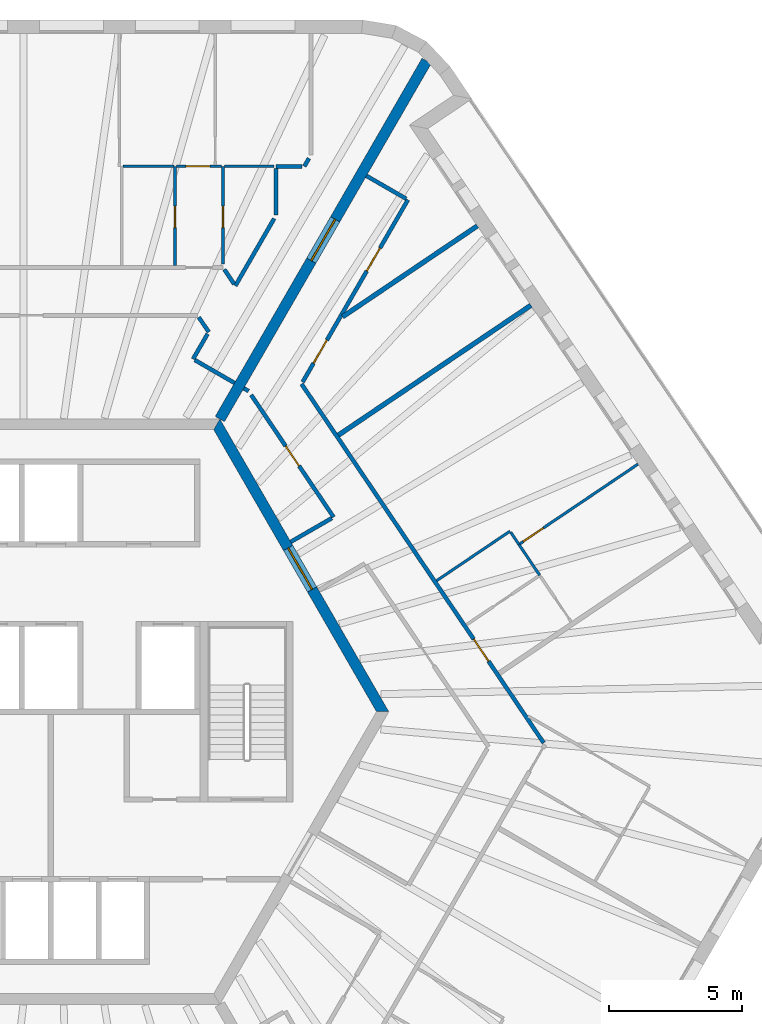
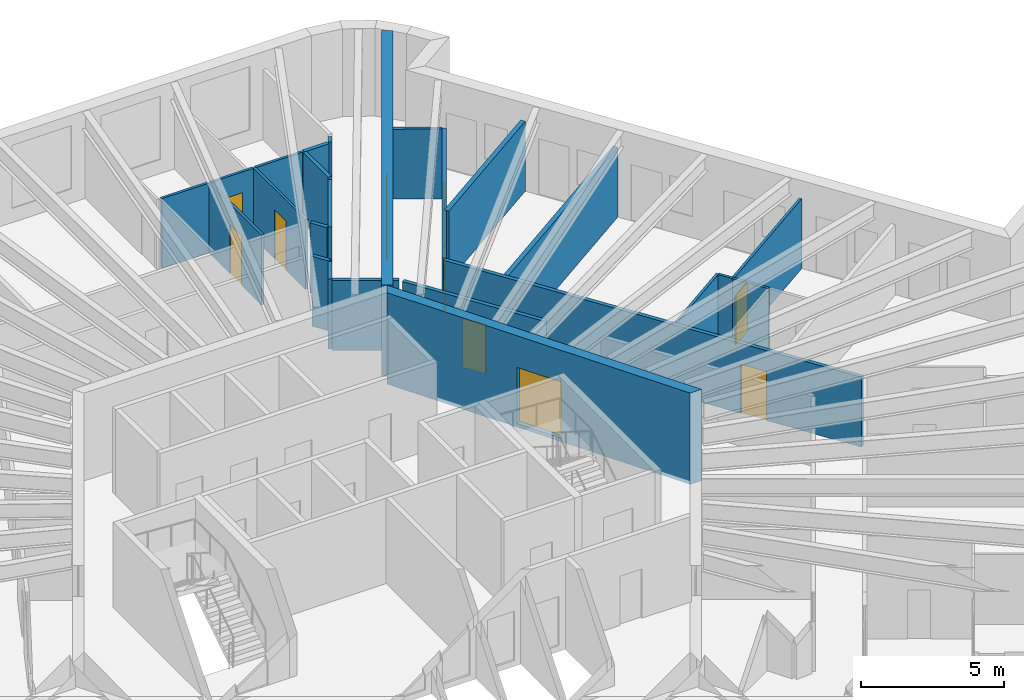
# One storey, part 10 of 12: 27 walls, 10 doors, 10 openings.
"""IFC4 building model written with IfcOpenShell, lengths in metres."""

from ifc_helpers import new_model, si_unit, direction, frame, frame_2d, origin, place, context, subcontext, project, spatial, polyline, rectangle, outline, extrude, material, layer, layer_set, type_object, element, fill, save


model = new_model("IFC4")

# Units and contexts
model_context = context("Model", 3, precision=1e-05, world=origin(), true_north=direction((0.0, 1.0)))
body_context = subcontext(model_context, "Body", "Model", "MODEL_VIEW")
ifc_project = project(units=[si_unit("LENGTHUNIT", "METRE"), si_unit("AREAUNIT", "SQUARE_METRE"), si_unit("VOLUMEUNIT", "CUBIC_METRE"), si_unit("PLANEANGLEUNIT", "RADIAN"), si_unit("MASSUNIT", "GRAM", prefix="KILO")], contexts=[model_context])

# Site, building, storey
site_placement = place(None, origin())
site = spatial("IfcSite", under=ifc_project, at=site_placement, CompositionType="ELEMENT")
building_placement = place(site_placement, origin())
building = spatial("IfcBuilding", under=site, at=building_placement, Name="Tarnside Tower", CompositionType="ELEMENT")
storey_placement = place(building_placement, frame((0.0, 0.0, 322.5)))
storey = spatial("IfcBuildingStorey", under=building, at=storey_placement, Name="L78", CompositionType="ELEMENT", Elevation=322.5)

# Wall, opening, door
ifc_material_1 = material(Name="Gypsum board partition on steel studs", Category="steel")
ifc_layer_1 = layer(ifc_material_1, 0.10009765625)
ifc_layer_set_1 = layer_set([ifc_layer_1], Name="Bathroom wall 100")
wall_type_1 = type_object("IfcWallType", Name="Bathroom wall 100", PredefinedType="PARTITIONING", material=ifc_layer_set_1)
wall_1_placement = place(storey_placement, frame((4.6669921875, 20.5, 0.0), z_axis=(0.0, 0.0, 1.0), x_axis=(0.0, -1.0, 0.0)))
wall_1 = element("IfcWall", 1, at=wall_1_placement, inside=storey, type_object=wall_type_1, Name="Bathroom wall 25089", PredefinedType="PARTITIONING", context=body_context, shape_type="SweptSolid", body=[
    extrude(rectangle(XDim=3.72509765625, YDim=0.10009765625, at=frame_2d((1.862548828125, 0.0))), origin(), (0.0, 0.0, 1.0), 2.98779296875),
])
opening_1_placement = place(wall_1_placement, frame((1.5, 0.0, 0.0)))
opening_1 = element("IfcOpeningElement", 2, at=opening_1_placement, cuts=wall_1, Name="Opening D-B1", PredefinedType="OPENING", context=body_context, shape_type="SweptSolid", body=[
    extrude(rectangle(XDim=0.800048828125, YDim=2.10009765625, at=frame_2d((0.39990234375, 1.050048828125))), frame((0.0, 0.06005859375, 0.0), z_axis=(0.0, -1.0, 0.0), x_axis=(1.0, 0.0, 0.0)), (0.0, 0.0, 1.0), 0.1201171875),
])
ifc_material_2 = material(Name="Timber door leaf", Category="wood")
door_type_1 = type_object("IfcDoorType", Name="Bathroom door 800", OperationType="NOTDEFINED", PredefinedType="DOOR", material=ifc_material_2)
door_1_placement = place(opening_1_placement, origin())
door_1 = element("IfcDoor", 3, at=door_1_placement, inside=storey, type_object=door_type_1, Name="Bathroom door 25002", OperationType="SINGLE_SWING_LEFT", OverallHeight=2.10009765625, OverallWidth=0.800048828125, PredefinedType="DOOR", context=body_context, shape_type="SweptSolid", body=[
    extrude(rectangle(XDim=0.800048828125, YDim=2.10009765625, at=frame_2d((0.39990234375, 1.050048828125))), frame((0.0, 0.02490234375, 0.0), z_axis=(0.0, -1.0, 0.0), x_axis=(1.0, 0.0, 0.0)), (0.0, 0.0, 1.0), 0.050048828125),
])
fill(opening_1, door_1)

wall_2_placement = place(storey_placement, frame((6.467041015625, 16.834228515625, 0.0), z_axis=(0.0, 0.0, 1.0), x_axis=(0.0, 1.0, 0.0)))
wall_2 = element("IfcWall", 4, at=wall_2_placement, inside=storey, type_object=wall_type_1, Name="Bathroom wall 25092", PredefinedType="PARTITIONING", context=body_context, shape_type="SweptSolid", body=[
    extrude(rectangle(XDim=3.665771484375, YDim=0.10009765625, at=frame_2d((1.8330078125, 0.0))), origin(), (0.0, 0.0, 1.0), 2.98779296875),
])
opening_2_placement = place(wall_2_placement, frame((1.365966796875, 0.0, 0.0)))
opening_2 = element("IfcOpeningElement", 5, at=opening_2_placement, cuts=wall_2, Name="Opening D-B1", PredefinedType="OPENING", context=body_context, shape_type="SweptSolid", body=[
    extrude(rectangle(XDim=0.800048828125, YDim=2.10009765625, at=frame_2d((0.39990234375, 1.050048828125))), frame((0.0, 0.06005859375, 0.0), z_axis=(0.0, -1.0, 0.0), x_axis=(1.0, 0.0, 0.0)), (0.0, 0.0, 1.0), 0.1201171875),
])
door_2_placement = place(opening_2_placement, origin())
door_2 = element("IfcDoor", 6, at=door_2_placement, inside=storey, type_object=door_type_1, Name="Bathroom door 25011", OperationType="SINGLE_SWING_RIGHT", OverallHeight=2.10009765625, OverallWidth=0.800048828125, PredefinedType="DOOR", context=body_context, shape_type="SweptSolid", body=[
    extrude(rectangle(XDim=0.800048828125, YDim=2.10009765625, at=frame_2d((0.39990234375, 1.050048828125))), frame((0.0, 0.02490234375, 0.0), z_axis=(0.0, -1.0, 0.0), x_axis=(1.0, 0.0, 0.0)), (0.0, 0.0, 1.0), 0.050048828125),
])
fill(opening_2, door_2)

# Walls
wall_3_placement = place(storey_placement, frame((4.619140625, 20.5, 0.0), z_axis=(0.0, 0.0, 1.0), x_axis=(-1.0, 0.0, 0.0)))
element("IfcWall", 7, at=wall_3_placement, inside=storey, type_object=wall_type_1, Name="Bathroom wall 25093", PredefinedType="PARTITIONING", context=body_context, shape_type="SweptSolid", body=[
    extrude(rectangle(XDim=1.904052734375, YDim=0.10009765625, at=frame_2d((0.9521484375, 0.0))), origin(), (0.0, 0.0, 1.0), 2.98779296875),
])
wall_4_placement = place(storey_placement, frame((6.51708984375, 20.5, 0.0), z_axis=(0.0, 0.0, 1.0), x_axis=(1.0, 0.0, 0.0)))
element("IfcWall", 8, at=wall_4_placement, inside=storey, type_object=wall_type_1, Name="Bathroom wall 25095", PredefinedType="PARTITIONING", context=body_context, shape_type="SweptSolid", body=[
    extrude(rectangle(XDim=1.875, YDim=0.10009765625, at=frame_2d((0.9375, 0.0))), origin(), (0.0, 0.0, 1.0), 2.98779296875),
])
wall_5_placement = place(storey_placement, frame((14.49951171875, 4.925537109375, 0.0), z_axis=(0.0, 0.0, 1.0), x_axis=(0.829067379225, 0.559148710725, 0.0)))
element("IfcWall", 9, at=wall_5_placement, inside=storey, type_object=wall_type_1, Name="Bathroom wall 25166", PredefinedType="PARTITIONING", context=body_context, shape_type="SweptSolid", body=[
    extrude(rectangle(XDim=3.324951171875, YDim=0.10009765625, at=frame_2d((1.66259765625, 0.0))), origin(), (0.0, 0.0, 1.0), 2.98779296875),
])
wall_6_placement = place(storey_placement, frame((17.2841796875, 6.743408203125, 0.0), z_axis=(0.0, 0.0, 1.0), x_axis=(0.55897906803, -0.829181766263, 0.0)))
element("IfcWall", 10, at=wall_6_placement, inside=storey, type_object=wall_type_1, Name="Bathroom wall 25167", PredefinedType="PARTITIONING", context=body_context, shape_type="SweptSolid", body=[
    extrude(rectangle(XDim=0.552001953125, YDim=0.10009765625, at=frame_2d((0.27587890625, 0.0))), origin(), (0.0, 0.0, 1.0), 2.98779296875),
])
wall_7_placement = place(storey_placement, frame((18.375732421875, 5.125, 0.0), z_axis=(0.0, 0.0, 1.0), x_axis=(-0.559152802616, 0.829064619512, 0.0)))
element("IfcWall", 11, at=wall_7_placement, inside=storey, type_object=wall_type_1, Name="Bathroom wall 25172", PredefinedType="PARTITIONING", context=body_context, shape_type="SweptSolid", body=[
    extrude(rectangle(XDim=1.402099609375, YDim=0.10009765625, at=frame_2d((0.701171875, 0.0))), origin(), (0.0, 0.0, 1.0), 2.98779296875),
])

# Wall, opening, door
ifc_material_3 = material(Name="Concrete C60/75", Category="concrete")
ifc_layer_2 = layer(ifc_material_3, 0.39990234375)
ifc_layer_set_2 = layer_set([ifc_layer_2], Name="Core wall Z3 400 C60/75")
wall_type_2 = type_object("IfcWallType", Name="Core wall Z3 400 C60/75", PredefinedType="SHEAR", material=ifc_layer_set_2)
wall_8_placement = place(storey_placement, frame((12.470703125, 0.0, -0.14990234375), z_axis=(0.0, 0.0, 1.0), x_axis=(-0.499996419489, 0.866027470984, 0.0)))
wall_8 = element("IfcWall", 12, at=wall_8_placement, inside=storey, type_object=wall_type_2, Name="L78 core wall face 6", PredefinedType="SHEAR", context=body_context, shape_type="SweptSolid", body=[
    extrude(outline(polyline([(-0.115478515625, -0.199951171875), (12.586181640625, -0.199951171875), (12.355224609375, 0.199951171875), (0.115478515625, 0.199951171875), (-0.115478515625, -0.199951171875)])), origin(), (0.0, 0.0, 1.0), 3.89990234375),
])
opening_3_placement = place(wall_8_placement, frame((5.306396484375, 0.0, 0.14990234375)))
opening_3 = element("IfcOpeningElement", 13, at=opening_3_placement, cuts=wall_8, Name="Opening CD-LOB", PredefinedType="OPENING", context=body_context, shape_type="SweptSolid", body=[
    extrude(rectangle(XDim=1.800048828125, YDim=2.39990234375, at=frame_2d((0.89990234375, 1.199951171875))), frame((0.0, 0.2099609375, 0.0), z_axis=(0.0, -1.0, 0.0), x_axis=(1.0, 0.0, 0.0)), (0.0, 0.0, 1.0), 0.419921875),
])
ifc_material_4 = material(Name="Steel fire door", Category="steel")
door_type_2 = type_object("IfcDoorType", Name="Lobby double door FD30S 1800x2400", OperationType="NOTDEFINED", PredefinedType="DOOR", material=ifc_material_4)
door_3_placement = place(opening_3_placement, origin())
door_3 = element("IfcDoor", 14, at=door_3_placement, inside=storey, type_object=door_type_2, Name="L78 core door P2", OperationType="DOUBLE_DOOR_SINGLE_SWING", OverallHeight=2.39990234375, OverallWidth=1.800048828125, PredefinedType="DOOR", context=body_context, shape_type="SweptSolid", body=[
    extrude(rectangle(XDim=1.800048828125, YDim=2.39990234375, at=frame_2d((0.89990234375, 1.199951171875))), frame((0.0, 0.02490234375, 0.0), z_axis=(0.0, -1.0, 0.0), x_axis=(1.0, 0.0, 0.0)), (0.0, 0.0, 1.0), 0.050048828125),
])
fill(opening_3, door_3)

wall_9_placement = place(storey_placement, frame((6.350830078125, 11.0, -0.14990234375), z_axis=(0.0, 0.0, 1.0), x_axis=(0.499998894578, 0.866026041999, 0.0)))
wall_9 = element("IfcWall", 15, at=wall_9_placement, inside=storey, type_object=wall_type_2, Name="L78 spine wall 1", PredefinedType="SHEAR", context=body_context, shape_type="SweptSolid", body=[
    extrude(rectangle(XDim=15.54443359375, YDim=0.39990234375, at=frame_2d((7.772216796875, 0.0))), origin(), (0.0, 0.0, 1.0), 3.89990234375),
])
opening_4_placement = place(wall_9_placement, frame((6.872314453125, 0.0, 0.14990234375)))
opening_4 = element("IfcOpeningElement", 16, at=opening_4_placement, cuts=wall_9, Name="Opening CD-SPN", PredefinedType="OPENING", context=body_context, shape_type="SweptSolid", body=[
    extrude(rectangle(XDim=1.800048828125, YDim=2.39990234375, at=frame_2d((0.89990234375, 1.199951171875))), frame((0.0, 0.2099609375, 0.0), z_axis=(0.0, -1.0, 0.0), x_axis=(1.0, 0.0, 0.0)), (0.0, 0.0, 1.0), 0.419921875),
])
door_type_3 = type_object("IfcDoorType", Name="Spine passage double door FD60 1800x2400", OperationType="NOTDEFINED", PredefinedType="DOOR", material=ifc_material_4)
door_4_placement = place(opening_4_placement, origin())
door_4 = element("IfcDoor", 17, at=door_4_placement, inside=storey, type_object=door_type_3, Name="L78 spine passage door 1", OperationType="DOUBLE_DOOR_SINGLE_SWING", OverallHeight=2.39990234375, OverallWidth=1.800048828125, PredefinedType="DOOR", context=body_context, shape_type="SweptSolid", body=[
    extrude(rectangle(XDim=1.800048828125, YDim=2.39990234375, at=frame_2d((0.89990234375, 1.199951171875))), frame((0.0, 0.02490234375, 0.0), z_axis=(0.0, -1.0, 0.0), x_axis=(1.0, 0.0, 0.0)), (0.0, 0.0, 1.0), 0.050048828125),
])
fill(opening_4, door_4)

# Walls
ifc_layer_3 = layer(ifc_material_1, 0.14990234375)
ifc_layer_set_3 = layer_set([ifc_layer_3], Name="Corridor wall 150 EI 60")
wall_type_3 = type_object("IfcWallType", Name="Corridor wall 150 EI 60", PredefinedType="PARTITIONING", material=ifc_layer_set_3)
wall_10_placement = place(storey_placement, frame((9.7001953125, 20.80126953125, 0.0), z_axis=(0.0, 0.0, 1.0), x_axis=(-0.499762962979, -0.866162213927, 0.0)))
element("IfcWall", 18, at=wall_10_placement, inside=storey, type_object=wall_type_3, Name="Corridor wall 25005", PredefinedType="PARTITIONING", context=body_context, shape_type="SweptSolid", body=[
    extrude(rectangle(XDim=0.347900390625, YDim=0.14990234375, at=frame_2d((0.173828125, 0.0))), origin(), (0.0, 0.0, 1.0), 2.98779296875),
])
wall_11_placement = place(storey_placement, frame((9.439697265625, 20.5, 0.0), z_axis=(0.0, 0.0, 1.0), x_axis=(-1.0, 0.0, 0.0)))
element("IfcWall", 19, at=wall_11_placement, inside=storey, type_object=wall_type_3, Name="Corridor wall 25006", PredefinedType="PARTITIONING", context=body_context, shape_type="SweptSolid", body=[
    extrude(rectangle(XDim=0.976318359375, YDim=0.14990234375, at=frame_2d((0.48828125, 0.0))), origin(), (0.0, 0.0, 1.0), 2.98779296875),
])
wall_12_placement = place(storey_placement, frame((8.467041015625, 20.425048828125, 0.0), z_axis=(0.0, 0.0, 1.0), x_axis=(0.0, -1.0, 0.0)))
element("IfcWall", 20, at=wall_12_placement, inside=storey, type_object=wall_type_3, Name="Corridor wall 25007", PredefinedType="PARTITIONING", context=body_context, shape_type="SweptSolid", body=[
    extrude(rectangle(XDim=1.759521484375, YDim=0.14990234375, at=frame_2d((0.8798828125, 0.0))), origin(), (0.0, 0.0, 1.0), 2.98779296875),
])
wall_13_placement = place(storey_placement, frame((8.39208984375, 18.53564453125, 0.0), z_axis=(0.0, 0.0, 1.0), x_axis=(-0.49996389635, -0.866046247233, 0.0)))
element("IfcWall", 21, at=wall_13_placement, inside=storey, type_object=wall_type_3, Name="Corridor wall 25008", PredefinedType="PARTITIONING", context=body_context, shape_type="SweptSolid", body=[
    extrude(rectangle(XDim=2.917724609375, YDim=0.14990234375, at=frame_2d((1.458984375, 0.0))), origin(), (0.0, 0.0, 1.0), 2.98779296875),
])
wall_14_placement = place(storey_placement, frame((6.88671875, 16.078125, 0.0), z_axis=(0.0, 0.0, 1.0), x_axis=(-0.559472855001, 0.828848674076, 0.0)))
element("IfcWall", 22, at=wall_14_placement, inside=storey, type_object=wall_type_3, Name="Corridor wall 25009", PredefinedType="PARTITIONING", context=body_context, shape_type="SweptSolid", body=[
    extrude(rectangle(XDim=0.659912109375, YDim=0.14990234375, at=frame_2d((0.330078125, 0.0))), origin(), (0.0, 0.0, 1.0), 2.98779296875),
])
wall_15_placement = place(storey_placement, frame((5.560546875, 14.824951171875, 0.0), z_axis=(0.0, 0.0, 1.0), x_axis=(0.559188682258, -0.829040419784, 0.0)))
element("IfcWall", 23, at=wall_15_placement, inside=storey, type_object=wall_type_3, Name="Corridor wall 25022", PredefinedType="PARTITIONING", context=body_context, shape_type="SweptSolid", body=[
    extrude(rectangle(XDim=0.6640625, YDim=0.14990234375, at=frame_2d((0.33203125, 0.0))), origin(), (0.0, 0.0, 1.0), 2.98779296875),
])
wall_16_placement = place(storey_placement, frame((5.89013671875, 14.2021484375, 0.0), z_axis=(0.0, 0.0, 1.0), x_axis=(-0.499986987217, -0.866032916588, 0.0)))
element("IfcWall", 24, at=wall_16_placement, inside=storey, type_object=wall_type_3, Name="Corridor wall 25023", PredefinedType="PARTITIONING", context=body_context, shape_type="SweptSolid", body=[
    extrude(rectangle(XDim=1.091796875, YDim=0.14990234375, at=frame_2d((0.5458984375, 0.0))), origin(), (0.0, 0.0, 1.0), 2.98779296875),
])
wall_17_placement = place(storey_placement, frame((5.4091796875, 13.218994140625, 0.0), z_axis=(0.0, 0.0, 1.0), x_axis=(0.866013532718, -0.500020560727, 0.0)))
element("IfcWall", 25, at=wall_17_placement, inside=storey, type_object=wall_type_3, Name="Corridor wall 25024", PredefinedType="PARTITIONING", context=body_context, shape_type="SweptSolid", body=[
    extrude(rectangle(XDim=1.72509765625, YDim=0.14990234375, at=frame_2d((0.862548828125, 0.0))), origin(), (0.0, 0.0, 1.0), 2.98779296875),
])

# Wall, opening, door
wall_18_placement = place(storey_placement, frame((18.52099609375, -1.170654296875, 0.0), z_axis=(0.0, 0.0, 1.0), x_axis=(-0.559193232449, 0.829037350656, 0.0)))
wall_18 = element("IfcWall", 26, at=wall_18_placement, inside=storey, type_object=wall_type_3, Name="Corridor wall 25062", PredefinedType="PARTITIONING", context=body_context, shape_type="SweptSolid", body=[
    extrude(rectangle(XDim=16.27197265625, YDim=0.14990234375, at=frame_2d((8.135986328125, 0.0))), origin(), (0.0, 0.0, 1.0), 2.98779296875),
])
opening_5_placement = place(wall_18_placement, frame((3.70263671875, 0.0, 0.0)))
opening_5 = element("IfcOpeningElement", 27, at=opening_5_placement, cuts=wall_18, Name="Opening D-E1", PredefinedType="OPENING", context=body_context, shape_type="SweptSolid", body=[
    extrude(rectangle(XDim=1.0, YDim=2.10009765625, at=frame_2d((0.5, 1.050048828125))), frame((0.0, 0.0849609375, 0.0), z_axis=(0.0, -1.0, 0.0), x_axis=(1.0, 0.0, 0.0)), (0.0, 0.0, 1.0), 0.169921875),
])
door_type_4 = type_object("IfcDoorType", Name="Unit entrance door 1000 FD30S", OperationType="NOTDEFINED", PredefinedType="DOOR", material=ifc_material_2)
door_5_placement = place(opening_5_placement, origin())
door_5 = element("IfcDoor", 28, at=door_5_placement, inside=storey, type_object=door_type_4, Name="Unit door 25061", OperationType="SINGLE_SWING_RIGHT", OverallHeight=2.10009765625, OverallWidth=1.0, PredefinedType="DOOR", context=body_context, shape_type="SweptSolid", body=[
    extrude(rectangle(XDim=1.0, YDim=2.10009765625, at=frame_2d((0.5, 1.050048828125))), frame((0.0, 0.02490234375, 0.0), z_axis=(0.0, -1.0, 0.0), x_axis=(1.0, 0.0, 0.0)), (0.0, 0.0, 1.0), 0.050048828125),
])
fill(opening_5, door_5)

# Wall, openings, doors
wall_19_placement = place(storey_placement, frame((9.463623046875, 12.3916015625, 0.0), z_axis=(0.0, 0.0, 1.0), x_axis=(0.499999400414, 0.866025749955, 0.0)))
wall_19 = element("IfcWall", 29, at=wall_19_placement, inside=storey, type_object=wall_type_3, Name="Corridor wall 25070", PredefinedType="PARTITIONING", context=body_context, shape_type="SweptSolid", body=[
    extrude(rectangle(XDim=7.91064453125, YDim=0.14990234375, at=frame_2d((3.955322265625, 0.0))), origin(), (0.0, 0.0, 1.0), 2.98779296875),
])
opening_6_placement = place(wall_19_placement, frame((0.8203125, 0.0, 0.0)))
opening_6 = element("IfcOpeningElement", 30, at=opening_6_placement, cuts=wall_19, Name="Opening D-E1", PredefinedType="OPENING", context=body_context, shape_type="SweptSolid", body=[
    extrude(rectangle(XDim=1.0, YDim=2.10009765625, at=frame_2d((0.5, 1.050048828125))), frame((0.0, 0.0849609375, 0.0), z_axis=(0.0, -1.0, 0.0), x_axis=(1.0, 0.0, 0.0)), (0.0, 0.0, 1.0), 0.169921875),
])
opening_7_placement = place(wall_19_placement, frame((4.8173828125, 0.0, 0.0)))
opening_7 = element("IfcOpeningElement", 31, at=opening_7_placement, cuts=wall_19, Name="Opening D-E1", PredefinedType="OPENING", context=body_context, shape_type="SweptSolid", body=[
    extrude(rectangle(XDim=1.0, YDim=2.10009765625, at=frame_2d((0.5, 1.050048828125))), frame((0.0, 0.0849609375, 0.0), z_axis=(0.0, -1.0, 0.0), x_axis=(1.0, 0.0, 0.0)), (0.0, 0.0, 1.0), 0.169921875),
])
door_6_placement = place(opening_6_placement, origin())
door_6 = element("IfcDoor", 32, at=door_6_placement, inside=storey, type_object=door_type_4, Name="Unit door 25067", OperationType="SINGLE_SWING_RIGHT", OverallHeight=2.10009765625, OverallWidth=1.0, PredefinedType="DOOR", context=body_context, shape_type="SweptSolid", body=[
    extrude(rectangle(XDim=1.0, YDim=2.10009765625, at=frame_2d((0.5, 1.050048828125))), frame((0.0, 0.02490234375, 0.0), z_axis=(0.0, -1.0, 0.0), x_axis=(1.0, 0.0, 0.0)), (0.0, 0.0, 1.0), 0.050048828125),
])
fill(opening_6, door_6)
door_7_placement = place(opening_7_placement, origin())
door_7 = element("IfcDoor", 33, at=door_7_placement, inside=storey, type_object=door_type_4, Name="Unit door 25068", OperationType="SINGLE_SWING_LEFT", OverallHeight=2.10009765625, OverallWidth=1.0, PredefinedType="DOOR", context=body_context, shape_type="SweptSolid", body=[
    extrude(rectangle(XDim=1.0, YDim=2.10009765625, at=frame_2d((0.5, 1.050048828125))), frame((0.0, 0.02490234375, 0.0), z_axis=(0.0, -1.0, 0.0), x_axis=(1.0, 0.0, 0.0)), (0.0, 0.0, 1.0), 0.050048828125),
])
fill(opening_7, door_7)

# Walls
wall_20_placement = place(storey_placement, frame((13.35400390625, 19.280029296875, 0.0), z_axis=(0.0, 0.0, 1.0), x_axis=(-0.866074815912, 0.499914405916, 0.0)))
element("IfcWall", 34, at=wall_20_placement, inside=storey, type_object=wall_type_3, Name="Corridor wall 25072", PredefinedType="PARTITIONING", context=body_context, shape_type="SweptSolid", body=[
    extrude(rectangle(XDim=1.724853515625, YDim=0.14990234375, at=frame_2d((0.8623046875, 0.0))), origin(), (0.0, 0.0, 1.0), 2.98779296875),
])
wall_21_placement = place(storey_placement, frame((7.24951171875, 12.156494140625, 0.0), z_axis=(0.0, 0.0, 1.0), x_axis=(0.866088799389, -0.499890179513, 0.0)))
element("IfcWall", 35, at=wall_21_placement, inside=storey, type_object=wall_type_3, Name="Corridor wall 25082", PredefinedType="PARTITIONING", context=body_context, shape_type="SweptSolid", body=[
    extrude(rectangle(XDim=0.2099609375, YDim=0.14990234375, at=frame_2d((0.10498046875, 0.0))), origin(), (0.0, 0.0, 1.0), 2.98779296875),
])

# Wall, opening, door
wall_22_placement = place(storey_placement, frame((7.527099609375, 11.90966796875, 0.0), z_axis=(0.0, 0.0, 1.0), x_axis=(0.5592050336, -0.82902939055, 0.0)))
wall_22 = element("IfcWall", 36, at=wall_22_placement, inside=storey, type_object=wall_type_3, Name="Corridor wall 25083", PredefinedType="PARTITIONING", context=body_context, shape_type="SweptSolid", body=[
    extrude(rectangle(XDim=5.54296875, YDim=0.14990234375, at=frame_2d((2.771484375, 0.0))), origin(), (0.0, 0.0, 1.0), 2.98779296875),
])
opening_8_placement = place(wall_22_placement, frame((2.321533203125, 0.0, 0.0)))
opening_8 = element("IfcOpeningElement", 37, at=opening_8_placement, cuts=wall_22, Name="Opening D-S1", PredefinedType="OPENING", context=body_context, shape_type="SweptSolid", body=[
    extrude(rectangle(XDim=0.89990234375, YDim=2.10009765625, at=frame_2d((0.449951171875, 1.050048828125))), frame((0.0, 0.0849609375, 0.0), z_axis=(0.0, -1.0, 0.0), x_axis=(1.0, 0.0, 0.0)), (0.0, 0.0, 1.0), 0.169921875),
])
door_type_5 = type_object("IfcDoorType", Name="Service room door 900 FD30S", OperationType="NOTDEFINED", PredefinedType="DOOR", material=ifc_material_2)
door_8_placement = place(opening_8_placement, origin())
door_8 = element("IfcDoor", 38, at=door_8_placement, inside=storey, type_object=door_type_5, Name="Service door 25077", OperationType="SINGLE_SWING_RIGHT", OverallHeight=2.10009765625, OverallWidth=0.89990234375, PredefinedType="DOOR", context=body_context, shape_type="SweptSolid", body=[
    extrude(rectangle(XDim=0.89990234375, YDim=2.10009765625, at=frame_2d((0.449951171875, 1.050048828125))), frame((0.0, 0.02490234375, 0.0), z_axis=(0.0, -1.0, 0.0), x_axis=(1.0, 0.0, 0.0)), (0.0, 0.0, 1.0), 0.050048828125),
])
fill(opening_8, door_8)

# Walls
wall_23_placement = place(storey_placement, frame((10.5615234375, 7.27685546875, 0.0), z_axis=(0.0, 0.0, 1.0), x_axis=(-0.86601248742, -0.500022371132, 0.0)))
element("IfcWall", 39, at=wall_23_placement, inside=storey, type_object=wall_type_3, Name="Corridor wall 25084", PredefinedType="PARTITIONING", context=body_context, shape_type="SweptSolid", body=[
    extrude(rectangle(XDim=1.78515625, YDim=0.14990234375, at=frame_2d((0.892578125, 0.0))), origin(), (0.0, 0.0, 1.0), 2.98779296875),
])
ifc_layer_4 = layer(ifc_material_1, 0.179931640625)
ifc_layer_set_4 = layer_set([ifc_layer_4], Name="Demising wall 180 EI 60")
wall_type_4 = type_object("IfcWallType", Name="Demising wall 180 EI 60", PredefinedType="PARTITIONING", material=ifc_layer_set_4)
wall_24_placement = place(storey_placement, frame((18.042236328125, 15.276123046875, 0.0), z_axis=(0.0, 0.0, 1.0), x_axis=(-0.829028989438, -0.559205628254, 0.0)))
element("IfcWall", 40, at=wall_24_placement, inside=storey, type_object=wall_type_4, Name="Demising wall 25169", PredefinedType="PARTITIONING", context=body_context, shape_type="SweptSolid", body=[
    extrude(rectangle(XDim=8.72509765625, YDim=0.179931640625, at=frame_2d((4.362548828125, 0.0))), origin(), (0.0, 0.0, 1.0), 2.98779296875),
])
wall_25_placement = place(storey_placement, frame((16.029296875, 18.260498046875, 0.0), z_axis=(0.0, 0.0, 1.0), x_axis=(-0.829048418375, -0.559176823545, 0.0)))
element("IfcWall", 41, at=wall_25_placement, inside=storey, type_object=wall_type_4, Name="Demising wall 25173", PredefinedType="PARTITIONING", context=body_context, shape_type="SweptSolid", body=[
    extrude(rectangle(XDim=6.10546875, YDim=0.179931640625, at=frame_2d((3.052734375, 0.0))), origin(), (0.0, 0.0, 1.0), 2.98779296875),
])

# Wall, opening, door
ifc_layer_5 = layer(ifc_material_1, 0.10009765625)
ifc_layer_set_5 = layer_set([ifc_layer_5], Name="Partition 100")
wall_type_5 = type_object("IfcWallType", Name="Partition 100", PredefinedType="PARTITIONING", material=ifc_layer_set_5)
wall_26_placement = place(storey_placement, frame((6.419189453125, 20.5, 0.0), z_axis=(0.0, 0.0, 1.0), x_axis=(-1.0, 0.0, 0.0)))
wall_26 = element("IfcWall", 42, at=wall_26_placement, inside=storey, type_object=wall_type_5, Name="Partition wall 25090", PredefinedType="PARTITIONING", context=body_context, shape_type="SweptSolid", body=[
    extrude(rectangle(XDim=1.7041015625, YDim=0.10009765625, at=frame_2d((0.85205078125, 0.0))), origin(), (0.0, 0.0, 1.0), 2.98779296875),
])
opening_9_placement = place(wall_26_placement, frame((0.44384765625, 0.0, 0.0)))
opening_9 = element("IfcOpeningElement", 43, at=opening_9_placement, cuts=wall_26, Name="Opening D-I1", PredefinedType="OPENING", context=body_context, shape_type="SweptSolid", body=[
    extrude(rectangle(XDim=0.89990234375, YDim=2.10009765625, at=frame_2d((0.449951171875, 1.050048828125))), frame((0.0, 0.06005859375, 0.0), z_axis=(0.0, -1.0, 0.0), x_axis=(1.0, 0.0, 0.0)), (0.0, 0.0, 1.0), 0.1201171875),
])
door_type_6 = type_object("IfcDoorType", Name="Internal door 900", OperationType="NOTDEFINED", PredefinedType="DOOR", material=ifc_material_2)
door_9_placement = place(opening_9_placement, origin())
door_9 = element("IfcDoor", 44, at=door_9_placement, inside=storey, type_object=door_type_6, Name="Internal door 25005", OperationType="SINGLE_SWING_RIGHT", OverallHeight=2.10009765625, OverallWidth=0.89990234375, PredefinedType="DOOR", context=body_context, shape_type="SweptSolid", body=[
    extrude(rectangle(XDim=0.89990234375, YDim=2.10009765625, at=frame_2d((0.449951171875, 1.050048828125))), frame((0.0, 0.02490234375, 0.0), z_axis=(0.0, -1.0, 0.0), x_axis=(1.0, 0.0, 0.0)), (0.0, 0.0, 1.0), 0.050048828125),
])
fill(opening_9, door_9)

wall_27_placement = place(storey_placement, frame((17.633056640625, 6.315185546875, 0.0), z_axis=(0.0, 0.0, 1.0), x_axis=(0.82904753069, 0.559178139645, 0.0)))
wall_27 = element("IfcWall", 45, at=wall_27_placement, inside=storey, type_object=wall_type_5, Name="Partition wall 25168", PredefinedType="PARTITIONING", context=body_context, shape_type="SweptSolid", body=[
    extrude(rectangle(XDim=5.35009765625, YDim=0.10009765625, at=frame_2d((2.675048828125, 0.0))), origin(), (0.0, 0.0, 1.0), 2.98779296875),
])
opening_10_placement = place(wall_27_placement, frame((0.14990234375, 0.0, 0.0)))
opening_10 = element("IfcOpeningElement", 46, at=opening_10_placement, cuts=wall_27, Name="Opening D-I1", PredefinedType="OPENING", context=body_context, shape_type="SweptSolid", body=[
    extrude(rectangle(XDim=0.89990234375, YDim=2.10009765625, at=frame_2d((0.449951171875, 1.050048828125))), frame((0.0, 0.06005859375, 0.0), z_axis=(0.0, -1.0, 0.0), x_axis=(1.0, 0.0, 0.0)), (0.0, 0.0, 1.0), 0.1201171875),
])
door_10_placement = place(opening_10_placement, origin())
door_10 = element("IfcDoor", 47, at=door_10_placement, inside=storey, type_object=door_type_6, Name="Internal door 25066", OperationType="SINGLE_SWING_RIGHT", OverallHeight=2.10009765625, OverallWidth=0.89990234375, PredefinedType="DOOR", context=body_context, shape_type="SweptSolid", body=[
    extrude(rectangle(XDim=0.89990234375, YDim=2.10009765625, at=frame_2d((0.449951171875, 1.050048828125))), frame((0.0, 0.02490234375, 0.0), z_axis=(0.0, -1.0, 0.0), x_axis=(1.0, 0.0, 0.0)), (0.0, 0.0, 1.0), 0.050048828125),
])
fill(opening_10, door_10)

save(model, "model.ifc")
